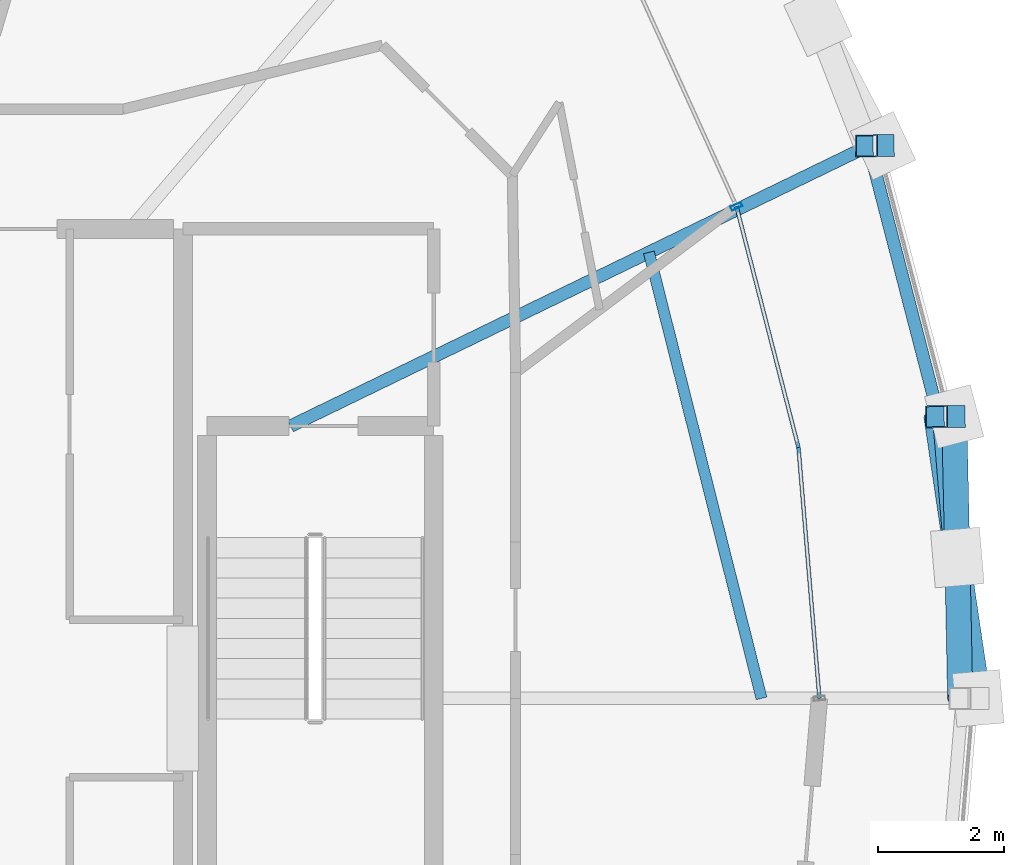
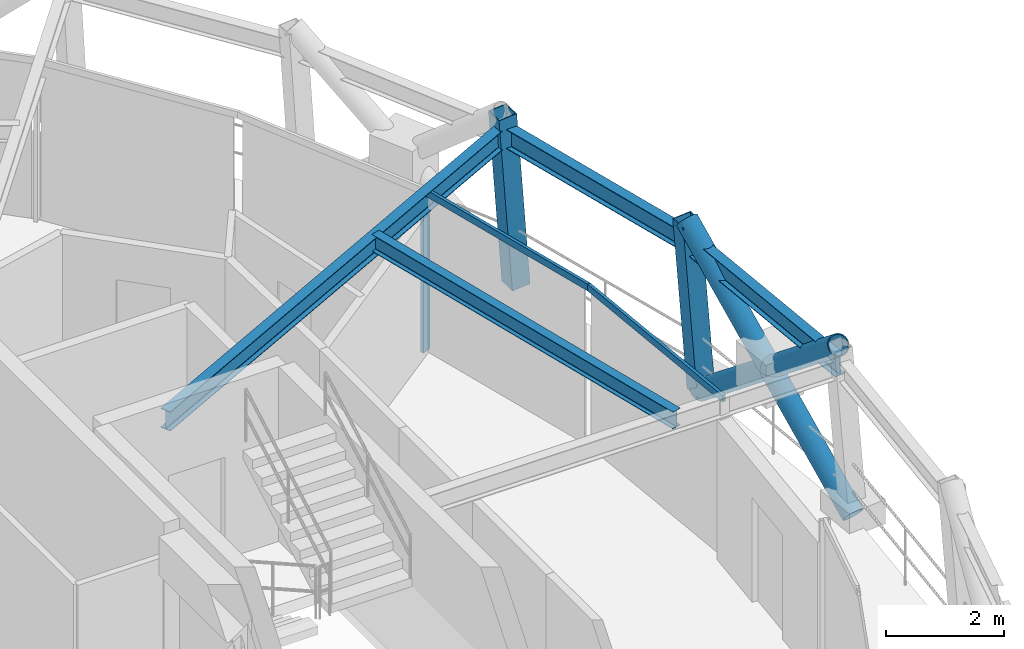
# One storey, part 5 of 15: 8 members, 4 beams, 1 element without a shape of its own.
"""IFC4 building model written with IfcOpenShell, lengths in metres."""

from ifc_helpers import new_model, si_unit, direction, frame, origin, origin_2d, place, context, subcontext, project, spatial, hollow_rectangle, hollow_circle, i_section, extrude, material, layer, layer_set, material_profile, profile_set, type_object, element, aggregate, save


model = new_model("IFC4")

# Units and contexts
model_context = context("Model", 3, precision=1e-05, world=origin(), true_north=direction((0.0, 1.0)))
body_context = subcontext(model_context, "Body", "Model", "MODEL_VIEW")
ifc_project = project(units=[si_unit("LENGTHUNIT", "METRE"), si_unit("AREAUNIT", "SQUARE_METRE"), si_unit("VOLUMEUNIT", "CUBIC_METRE"), si_unit("PLANEANGLEUNIT", "RADIAN"), si_unit("MASSUNIT", "GRAM", prefix="KILO")], contexts=[model_context])

# Site, building, storey
site_placement = place(None, origin())
site = spatial("IfcSite", under=ifc_project, at=site_placement, CompositionType="ELEMENT")
building_placement = place(site_placement, origin())
building = spatial("IfcBuilding", under=site, at=building_placement, Name="Veldorina Hangang Commons", CompositionType="ELEMENT")
storey_placement = place(building_placement, frame((0.0, 0.0, 290.39990234375)))
storey = spatial("IfcBuildingStorey", under=building, at=storey_placement, Name="L76", CompositionType="ELEMENT", Elevation=290.39990234375)

# Beams
ifc_material_1 = material(Name="Steel SM355-TMC", Category="steel")
ifc_material_profile_1 = material_profile(ifc_material_1, i_section(OverallWidth=0.199951171875, OverallDepth=0.39990234375, WebThickness=0.008056640625, FlangeThickness=0.012939453125, FilletRadius=0.012939453125, at=origin_2d()), Name="H-400x200x8x13")
ifc_profile_set_1 = profile_set([ifc_material_profile_1], Name="Steel SM355-TMC")
beam_type_1 = type_object("IfcBeamType", Name="BM-FG400", PredefinedType="BEAM", material=ifc_profile_set_1)
beam_1_placement = place(storey_placement, frame((40.907958984375, 28.320068359375, 3.16015625), z_axis=(0.899769092307, 0.43636633753, 0.0), x_axis=(-0.43636633753, 0.899769092307, 0.0)))
element("IfcBeam", 1, at=beam_1_placement, inside=storey, type_object=beam_type_1, Name="L76 radial floor girder 02", PredefinedType="BEAM", context=body_context, shape_type="SweptSolid", body=[
    extrude(i_section(OverallWidth=0.199951171875, OverallDepth=0.39990234375, WebThickness=0.008056640625, FlangeThickness=0.012939453125, FilletRadius=0.012939453125, at=origin_2d()), origin(), (0.0, 0.0, 1.0), 10.19482421875),
])
ifc_material_profile_2 = material_profile(ifc_material_1, i_section(OverallWidth=0.175048828125, OverallDepth=0.35009765625, WebThickness=0.007080078125, FlangeThickness=0.010986328125, FilletRadius=0.012939453125, at=origin_2d()), Name="H-350x175x7x11")
ifc_profile_set_2 = profile_set([ifc_material_profile_2], Name="Steel SM355-TMC")
beam_type_2 = type_object("IfcBeamType", Name="BM-JST350", PredefinedType="JOIST", material=ifc_profile_set_2)
beam_2_placement = place(storey_placement, frame((48.38232421875, 24.0, 3.18505859375), z_axis=(-0.24480120395, 0.969573293023, 0.0), x_axis=(-0.969573293023, -0.24480120395, 0.0)))
element("IfcBeam", 2, at=beam_2_placement, inside=storey, type_object=beam_type_2, Name="L76 secondary floor joist 01", PredefinedType="JOIST", context=body_context, shape_type="SweptSolid", body=[
    extrude(i_section(OverallWidth=0.175048828125, OverallDepth=0.35009765625, WebThickness=0.007080078125, FlangeThickness=0.010986328125, FilletRadius=0.012939453125, at=origin_2d()), origin(), (0.0, 0.0, 1.0), 7.30029296875),
])
ifc_material_profile_3 = material_profile(ifc_material_1, i_section(OverallWidth=0.199951171875, OverallDepth=0.39990234375, WebThickness=0.008056640625, FlangeThickness=0.012939453125, FilletRadius=0.012939453125, at=origin_2d()), Name="H-400x200x8x13")
ifc_profile_set_3 = profile_set([ifc_material_profile_3], Name="Steel SM355-TMC")
beam_type_3 = type_object("IfcBeamType", Name="BM-RB400", PredefinedType="BEAM", material=ifc_profile_set_3)
beam_3_placement = place(storey_placement, frame((51.57080078125, 24.0, 3.16015625), z_axis=(-0.083811127984, 0.996481658048, 0.0), x_axis=(-0.996481658048, -0.083811127984, 0.0)))
element("IfcBeam", 3, at=beam_3_placement, inside=storey, type_object=beam_type_3, Name="L76 perimeter hoop ring beam 00", PredefinedType="BEAM", context=body_context, shape_type="SweptSolid", body=[
    extrude(i_section(OverallWidth=0.199951171875, OverallDepth=0.39990234375, WebThickness=0.008056640625, FlangeThickness=0.012939453125, FilletRadius=0.012939453125, at=origin_2d()), origin(), (0.0, 0.0, 1.0), 4.486083984375),
])
beam_4_placement = place(storey_placement, frame((51.19482421875, 28.47021484375, 3.16015625), z_axis=(-0.250819052404, 0.968033988531, 0.0), x_axis=(-0.968033988531, -0.250819052404, 0.0)))
element("IfcBeam", 4, at=beam_4_placement, inside=storey, type_object=beam_type_3, Name="L76 perimeter hoop ring beam 01", PredefinedType="BEAM", context=body_context, shape_type="SweptSolid", body=[
    extrude(i_section(OverallWidth=0.199951171875, OverallDepth=0.39990234375, WebThickness=0.008056640625, FlangeThickness=0.012939453125, FilletRadius=0.012939453125, at=origin_2d()), origin(), (0.0, 0.0, 1.0), 4.4404296875),
])

# Curtain wall, members
ifc_material_2 = material(Name="Glass Low-E Selective", Category="glass")
ifc_layer = layer(ifc_material_2, 0.179931640625)
ifc_layer_set = layer_set([ifc_layer], Name="Glass Low-E Selective")
curtain_wall_type = type_object("IfcCurtainWallType", Name="CW-SYS-Z3", PredefinedType="NOTDEFINED", material=ifc_layer_set)
curtain_wall_placement = place(storey_placement, origin())
curtain_wall = element("IfcCurtainWall", 5, at=curtain_wall_placement, inside=storey, type_object=curtain_wall_type, Name="L76 unitised curtain wall CW-L76-R1", PredefinedType="NOTDEFINED")
ifc_material_3 = material(Name="Aluminium Anodized AA6063-T6", Category="aluminium")
ifc_material_profile_4 = material_profile(ifc_material_3, hollow_rectangle(XDim=0.070068359375, YDim=0.179931640625, WallThickness=0.00390625, at=origin_2d()), Name="ALU-RHS-180x70x4")
ifc_profile_set_4 = profile_set([ifc_material_profile_4], Name="Aluminium Anodized AA6063-T6")
member_type_1 = type_object("IfcMemberType", Name="CW-MUL-180", PredefinedType="MULLION", material=ifc_profile_set_4)
member_1_placement = place(storey_placement, frame((47.984375, 31.808349609375, 0.0), z_axis=(0.0, 0.0, 1.0), x_axis=(-0.412802412978, 0.910820601348, 0.0)))
member_1 = element("IfcMember", 6, at=member_1_placement, type_object=member_type_1, Name="CW-L76-R1 vertical mullion 2", PredefinedType="MULLION", context=body_context, shape_type="SweptSolid", body=[
    extrude(hollow_rectangle(XDim=0.070068359375, YDim=0.179931640625, WallThickness=0.00390625, at=origin_2d()), origin(), (0.0, 0.0, 1.0), 3.320068359375),
])
ifc_material_profile_5 = material_profile(ifc_material_3, hollow_rectangle(XDim=0.06005859375, YDim=0.139892578125, WallThickness=0.00341796875, at=origin_2d()), Name="ALU-RHS-140x60x3.5")
ifc_profile_set_5 = profile_set([ifc_material_profile_5], Name="Aluminium Anodized AA6063-T6")
member_type_2 = type_object("IfcMemberType", Name="CW-TRN-140", PredefinedType="USERDEFINED", material=ifc_profile_set_5)
member_2_placement = place(storey_placement, frame((49.30126953125, 24.0, 3.280029296875), z_axis=(-0.083182046928, 0.996534368233, 0.0), x_axis=(-0.996534368233, -0.083182046928, 0.0)))
member_2 = element("IfcMember", 7, at=member_2_placement, type_object=member_type_2, Name="CW-L76-R1 facet 1 transom 1", ObjectType="TRANSOM", PredefinedType="USERDEFINED", context=body_context, shape_type="SweptSolid", body=[
    extrude(hollow_rectangle(XDim=0.06005859375, YDim=0.139892578125, WallThickness=0.00341796875, at=origin_2d()), origin(), (0.0, 0.0, 1.0), 3.99462890625),
])
member_3_placement = place(storey_placement, frame((48.968994140625, 27.980712890625, 3.280029296875), z_axis=(-0.249128778543, 0.968470366971, 0.0), x_axis=(-0.968470366971, -0.249128778543, 0.0)))
member_3 = element("IfcMember", 8, at=member_3_placement, type_object=member_type_2, Name="CW-L76-R1 facet 2 transom 1", ObjectType="TRANSOM", PredefinedType="USERDEFINED", context=body_context, shape_type="SweptSolid", body=[
    extrude(hollow_rectangle(XDim=0.06005859375, YDim=0.139892578125, WallThickness=0.00341796875, at=origin_2d()), origin(), (0.0, 0.0, 1.0), 3.9521484375),
])
aggregate(curtain_wall, [member_1, member_2, member_3])

# Members
ifc_material_profile_6 = material_profile(ifc_material_1, hollow_circle(Radius=0.199951171875, WallThickness=0.02001953125, at=origin_2d()), Name="CHS-400x20")
ifc_profile_set_6 = profile_set([ifc_material_profile_6], Name="Steel SM355-TMC")
member_type_3 = type_object("IfcMemberType", Name="DG-CHS400", PredefinedType="BRACE", material=ifc_profile_set_6)
member_4_placement = place(storey_placement, frame((51.8212890625, 24.0, 0.0), z_axis=(-0.114350755849, 0.773705834751, 0.623139780394), x_axis=(-0.989253880973, -0.14620793063, 0.0)))
element("IfcMember", 9, at=member_4_placement, inside=storey, type_object=member_type_3, Name="L76 continuous perimeter diagrid brace 00", PredefinedType="BRACE", context=body_context, shape_type="SweptSolid", body=[
    extrude(hollow_circle(Radius=0.199951171875, WallThickness=0.02001953125, at=origin_2d()), origin(), (0.0, 0.0, 1.0), 5.77734375),
])
member_5_placement = place(storey_placement, frame((51.4404296875, 28.472412109375, 0.0), z_axis=(0.017511154421, -0.778821343698, 0.627001334983), x_axis=(0.999747326763, 0.022478492612, 0.0)))
element("IfcMember", 10, at=member_5_placement, inside=storey, type_object=member_type_3, Name="L76 split perimeter diagrid lower brace 01", PredefinedType="BRACE", context=body_context, shape_type="SweptSolid", body=[
    extrude(hollow_circle(Radius=0.199951171875, WallThickness=0.02001953125, at=origin_2d()), origin(), (0.0, 0.0, 1.0), 2.8720703125),
])
member_6_placement = place(storey_placement, frame((51.49072265625, 26.235595703125, 1.80078125), z_axis=(0.015736745434, -0.778926367241, 0.626917912697), x_axis=(0.999795979358, 0.020199001439, 0.0)))
element("IfcMember", 11, at=member_6_placement, inside=storey, type_object=member_type_3, Name="L76 split perimeter diagrid upper brace 01", PredefinedType="BRACE", context=body_context, shape_type="SweptSolid", body=[
    extrude(hollow_circle(Radius=0.199951171875, WallThickness=0.02001953125, at=origin_2d()), origin(), (0.0, 0.0, 1.0), 2.8701171875),
])
ifc_material_profile_7 = material_profile(ifc_material_1, hollow_rectangle(XDim=0.35009765625, YDim=0.35009765625, WallThickness=0.01611328125, at=origin_2d()), Name="SHS-350x350x16")
ifc_profile_set_7 = profile_set([ifc_material_profile_7], Name="Steel SM355-TMC")
member_type_4 = type_object("IfcMemberType", Name="STR-SHS350", PredefinedType="STRUT", material=ifc_profile_set_7)
member_7_placement = place(storey_placement, frame((51.4404296875, 28.472412109375, 0.0), z_axis=(-0.077482337309, -0.000676111146, 0.996993495605), x_axis=(0.008725671297, -0.999961930606, 0.0)))
element("IfcMember", 12, at=member_7_placement, inside=storey, type_object=member_type_4, Name="L76 perimeter ring node post 01", PredefinedType="STRUT", context=body_context, shape_type="SweptSolid", body=[
    extrude(hollow_rectangle(XDim=0.35009765625, YDim=0.35009765625, WallThickness=0.01611328125, at=origin_2d()), origin(), (0.0, 0.0, 1.0), 3.61083984375),
])
member_8_placement = place(storey_placement, frame((50.3125, 32.772705078125, 0.0), z_axis=(-0.073044492313, -0.001285041994, 0.997327855226), x_axis=(0.017589870777, -0.999845286255, 0.0)))
element("IfcMember", 13, at=member_8_placement, inside=storey, type_object=member_type_4, Name="L76 perimeter ring node post 02", PredefinedType="STRUT", context=body_context, shape_type="SweptSolid", body=[
    extrude(hollow_rectangle(XDim=0.35009765625, YDim=0.35009765625, WallThickness=0.01611328125, at=origin_2d()), origin(), (0.0, 0.0, 1.0), 3.60986328125),
])

save(model, "model.ifc")
